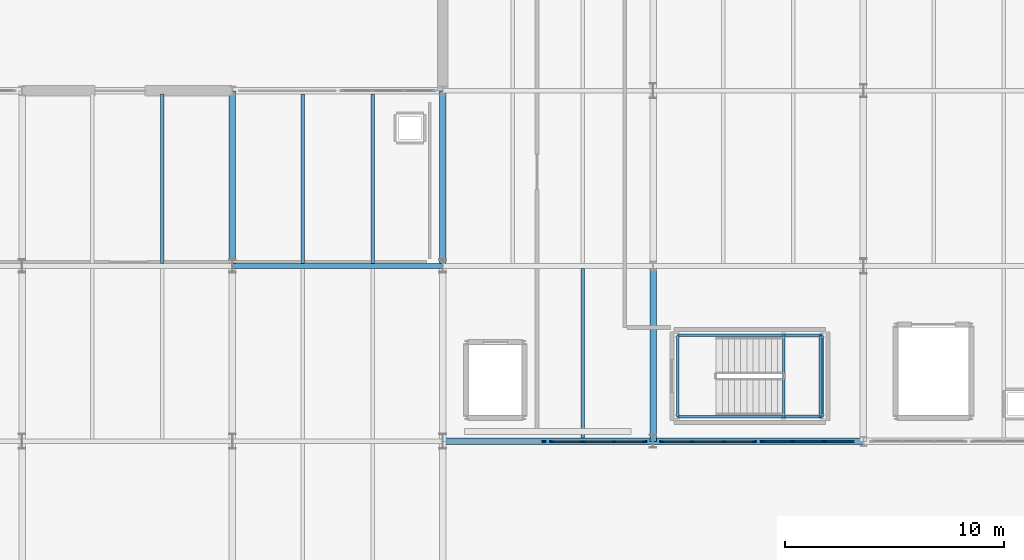
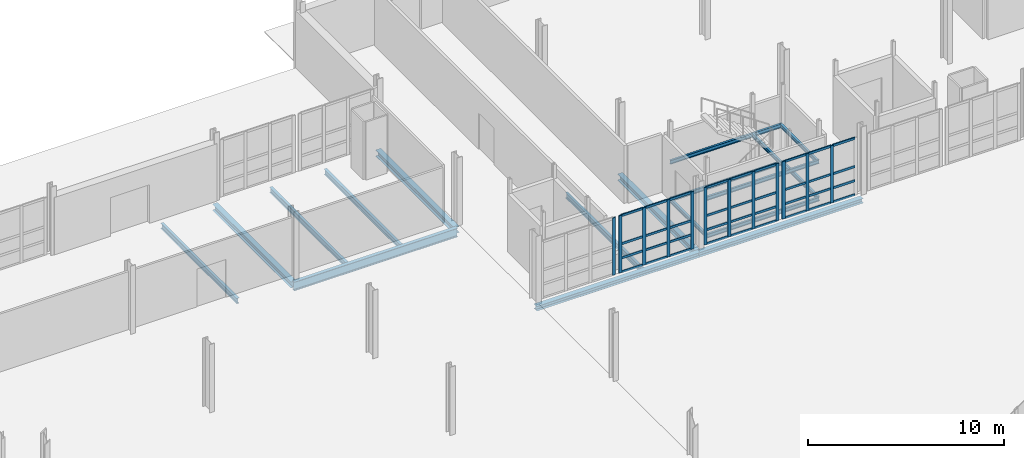
# One storey, part 40 of 78: 48 members, 18 beams, 4 elements without a shape of their own.
"""IFC4 building model written with IfcOpenShell, lengths in metres."""

from ifc_helpers import new_model, si_unit, direction, frame, origin, origin_2d, place, context, subcontext, project, spatial, rectangle, i_section, extrude, material, layer, layer_set, material_profile, profile_set, type_object, element, aggregate, save


model = new_model("IFC4")

# Units and contexts
model_context = context("Model", 3, precision=1e-05, world=origin(), true_north=direction((0.0, 1.0)))
body_context = subcontext(model_context, "Body", "Model", "MODEL_VIEW")
ifc_project = project(units=[si_unit("LENGTHUNIT", "METRE"), si_unit("AREAUNIT", "SQUARE_METRE"), si_unit("VOLUMEUNIT", "CUBIC_METRE"), si_unit("PLANEANGLEUNIT", "RADIAN"), si_unit("MASSUNIT", "GRAM", prefix="KILO")], contexts=[model_context])

# Site, building, storey
site_placement = place(None, origin())
site = spatial("IfcSite", under=ifc_project, at=site_placement, CompositionType="ELEMENT")
building_placement = place(site_placement, origin())
building = spatial("IfcBuilding", under=site, at=building_placement, Name="Alderhovde Museum", CompositionType="ELEMENT")
storey_placement = place(building_placement, origin())
storey = spatial("IfcBuildingStorey", under=building, at=storey_placement, Name="L00", CompositionType="ELEMENT", Elevation=0.0)

# Beams
ifc_material_1 = material(Name="Steel S355J2", Category="steel")
ifc_material_profile_1 = material_profile(ifc_material_1, i_section(OverallWidth=0.300048828125, OverallDepth=0.389892578125, WebThickness=0.010986328125, FlangeThickness=0.01904296875, FilletRadius=0.027099609375, at=origin_2d()), Name="HEA 400")
ifc_profile_set_1 = profile_set([ifc_material_profile_1], Name="Steel S355J2")
beam_type_1 = type_object("IfcBeamType", Name="BM-HEA400", PredefinedType="BEAM", material=ifc_profile_set_1)
for number, where, z_axis, x_axis, name in (
    (1, (105.60009765625, 80.0, -0.47509765625), (0.0, 1.0, 0.0), (-1.0, 0.0, 0.0), "L00 Grid Beam X=105.6 (80.0 TO 88.0)"),
    (2, (115.199951171875, 80.0, -0.47509765625), (0.0, 1.0, 0.0), (-1.0, 0.0, 0.0), "L00 Grid Beam X=115.2 (80.0 TO 88.0)"),
    (3, (124.800048828125, 72.0, -0.47509765625), (0.0, 1.0, 0.0), (-1.0, 0.0, 0.0), "L00 Grid Beam X=124.8 (72.0 TO 80.0)"),
):
    element("IfcBeam", number, at=place(storey_placement, frame(where, z_axis=z_axis, x_axis=x_axis)), inside=storey, type_object=beam_type_1, Name=name, PredefinedType="BEAM", context=body_context, shape_type="SweptSolid", body=[
        extrude(i_section(OverallWidth=0.300048828125, OverallDepth=0.389892578125, WebThickness=0.010986328125, FlangeThickness=0.01904296875, FilletRadius=0.027099609375, at=origin_2d()), origin(), (0.0, 0.0, 1.0), 8.0),
    ])
ifc_material_2 = material(Name="Steel S355J2", Category="steel")
ifc_material_profile_2 = material_profile(ifc_material_2, i_section(OverallWidth=0.1201171875, OverallDepth=0.239990234375, WebThickness=0.006103515625, FlangeThickness=0.009765625, FilletRadius=0.014892578125, at=origin_2d()), Name="IPE 240")
ifc_profile_set_2 = profile_set([ifc_material_profile_2], Name="Steel S355J2")
beam_type_2 = type_object("IfcBeamType", Name="BM-IPE240", PredefinedType="BEAM", material=ifc_profile_set_2)
for number, where, z_axis, x_axis, name in (
    (4, (125.919921875, 73.1201171875, -0.39990234375), (1.0, 0.0, 0.0), (0.0, 1.0, 0.0), "L00 Stair ST4 Floor Trimmer S"),
    (5, (125.919921875, 76.840087890625, -0.39990234375), (1.0, 0.0, 0.0), (0.0, 1.0, 0.0), "L00 Stair ST4 Floor Trimmer N"),
):
    element("IfcBeam", number, at=place(storey_placement, frame(where, z_axis=z_axis, x_axis=x_axis)), inside=storey, type_object=beam_type_2, Name=name, PredefinedType="BEAM", context=body_context, shape_type="SweptSolid", body=[
        extrude(i_section(OverallWidth=0.1201171875, OverallDepth=0.239990234375, WebThickness=0.006103515625, FlangeThickness=0.009765625, FilletRadius=0.014892578125, at=origin_2d()), origin(), (0.0, 0.0, 1.0), 6.60009765625),
    ])
for number, where, z_axis, x_axis, name in (
    (6, (125.919921875, 73.1201171875, -0.39990234375), (0.0, 1.0, 0.0), (-1.0, 0.0, 0.0), "L00 Stair ST4 Floor Trimmer W"),
    (7, (132.52001953125, 73.1201171875, -0.39990234375), (0.0, 1.0, 0.0), (-1.0, 0.0, 0.0), "L00 Stair ST4 Floor Trimmer E"),
):
    element("IfcBeam", number, at=place(storey_placement, frame(where, z_axis=z_axis, x_axis=x_axis)), inside=storey, type_object=beam_type_2, Name=name, PredefinedType="BEAM", context=body_context, shape_type="SweptSolid", body=[
        extrude(i_section(OverallWidth=0.1201171875, OverallDepth=0.239990234375, WebThickness=0.006103515625, FlangeThickness=0.009765625, FilletRadius=0.014892578125, at=origin_2d()), origin(), (0.0, 0.0, 1.0), 3.719970703125),
    ])
for number, where, z_axis, x_axis, name in (
    (8, (125.919921875, 73.1201171875, 1.929931640625), (1.0, 0.0, 0.0), (0.0, 1.0, 0.0), "L00 Stair ST4 Landing 1 Beam S"),
    (9, (125.919921875, 76.840087890625, 1.929931640625), (1.0, 0.0, 0.0), (0.0, 1.0, 0.0), "L00 Stair ST4 Landing 1 Beam N"),
):
    element("IfcBeam", number, at=place(storey_placement, frame(where, z_axis=z_axis, x_axis=x_axis)), inside=storey, type_object=beam_type_2, Name=name, PredefinedType="BEAM", context=body_context, shape_type="SweptSolid", body=[
        extrude(i_section(OverallWidth=0.1201171875, OverallDepth=0.239990234375, WebThickness=0.006103515625, FlangeThickness=0.009765625, FilletRadius=0.014892578125, at=origin_2d()), origin(), (0.0, 0.0, 1.0), 6.60009765625),
    ])
for number, where, z_axis, x_axis, name in (
    (10, (130.760009765625, 73.1201171875, 1.929931640625), (0.0, 1.0, 0.0), (-1.0, 0.0, 0.0), "L00 Stair ST4 Landing 1 Beam W"),
    (11, (132.43994140625, 73.1201171875, 1.929931640625), (0.0, 1.0, 0.0), (-1.0, 0.0, 0.0), "L00 Stair ST4 Landing 1 Beam E"),
):
    element("IfcBeam", number, at=place(storey_placement, frame(where, z_axis=z_axis, x_axis=x_axis)), inside=storey, type_object=beam_type_2, Name=name, PredefinedType="BEAM", context=body_context, shape_type="SweptSolid", body=[
        extrude(i_section(OverallWidth=0.1201171875, OverallDepth=0.239990234375, WebThickness=0.006103515625, FlangeThickness=0.009765625, FilletRadius=0.014892578125, at=origin_2d()), origin(), (0.0, 0.0, 1.0), 3.719970703125),
    ])
ifc_material_3 = material(Name="Steel S355J2", Category="steel")
ifc_material_profile_3 = material_profile(ifc_material_3, i_section(OverallWidth=0.2099609375, OverallDepth=0.550048828125, WebThickness=0.010986328125, FlangeThickness=0.01708984375, FilletRadius=0.02392578125, at=origin_2d()), Name="IPE 550")
ifc_profile_set_3 = profile_set([ifc_material_profile_3], Name="Steel S355J2")
beam_type_3 = type_object("IfcBeamType", Name="BM-IPE550", PredefinedType="BEAM", material=ifc_profile_set_3)
beam_1_placement = place(storey_placement, frame((105.60009765625, 80.0, -0.554931640625), z_axis=(1.0, 0.0, 0.0), x_axis=(0.0, 1.0, 0.0)))
element("IfcBeam", 12, at=beam_1_placement, inside=storey, type_object=beam_type_3, Name="L00 Grid Beam Y=80.0 (105.6 TO 115.2)", PredefinedType="BEAM", context=body_context, shape_type="SweptSolid", body=[
    extrude(i_section(OverallWidth=0.2099609375, OverallDepth=0.550048828125, WebThickness=0.010986328125, FlangeThickness=0.01708984375, FilletRadius=0.02392578125, at=origin_2d()), origin(), (0.0, 0.0, 1.0), 9.599853515625),
])

# Curtain wall, member
ifc_material_4 = material(Name="Triple-Glazed Bronze-Anodised Curtain Wall", Category="glass")
ifc_layer = layer(ifc_material_4, 0.179931640625)
ifc_layer_set = layer_set([ifc_layer], Name="Triple-Glazed Bronze-Anodised Curtain Wall")
curtain_wall_type = type_object("IfcCurtainWallType", Name="CW-STIC-430x356", PredefinedType="USERDEFINED", material=ifc_layer_set)
curtain_wall_1_placement = place(storey_placement, origin())
curtain_wall_1 = element("IfcCurtainWall", 13, at=curtain_wall_1_placement, inside=storey, type_object=curtain_wall_type, Name="L00 Stick Curtain Wall 131", ObjectType="STICK CURTAIN WALL", PredefinedType="USERDEFINED")
ifc_material_5 = material(Name="Bronze-Anodised Aluminium EN AW-6063-T6", Category="aluminium")
ifc_material_profile_4 = material_profile(ifc_material_5, rectangle(XDim=0.06494140625, YDim=0.179931640625, at=origin_2d()), Name="MULLION 65x180")
ifc_profile_set_4 = profile_set([ifc_material_profile_4], Name="Bronze-Anodised Aluminium EN AW-6063-T6")
member_type_1 = type_object("IfcMemberType", Name="CWM-65x180", PredefinedType="MULLION", material=ifc_profile_set_4)
member_1_placement = place(storey_placement, frame((119.8173828125, 72.0, 0.0), z_axis=(0.0, 0.0, 1.0), x_axis=(0.0, 1.0, 0.0)))
member_1 = element("IfcMember", 14, at=member_1_placement, type_object=member_type_1, Name="CW31 mullion 4", PredefinedType="MULLION", context=body_context, shape_type="SweptSolid", body=[
    extrude(rectangle(XDim=0.06494140625, YDim=0.179931640625, at=origin_2d()), origin(), (0.0, 0.0, 1.0), 3.56005859375),
])
aggregate(curtain_wall_1, [member_1])

# Curtain wall, members
curtain_wall_2_placement = place(storey_placement, origin())
curtain_wall_2 = element("IfcCurtainWall", 15, at=curtain_wall_2_placement, inside=storey, type_object=curtain_wall_type, Name="L00 Stick Curtain Wall 132", ObjectType="STICK CURTAIN WALL", PredefinedType="USERDEFINED")
member_2_placement = place(storey_placement, frame((120.1826171875, 72.0, 0.0), z_axis=(0.0, 0.0, 1.0), x_axis=(0.0, 1.0, 0.0)))
member_2 = element("IfcMember", 16, at=member_2_placement, type_object=member_type_1, Name="CW31 mullion 1", PredefinedType="MULLION", context=body_context, shape_type="SweptSolid", body=[
    extrude(rectangle(XDim=0.06494140625, YDim=0.179931640625, at=origin_2d()), origin(), (0.0, 0.0, 1.0), 3.56005859375),
])
member_3_placement = place(storey_placement, frame((121.583251953125, 72.0, 0.0), z_axis=(0.0, 0.0, 1.0), x_axis=(0.0, 1.0, 0.0)))
member_3 = element("IfcMember", 17, at=member_3_placement, type_object=member_type_1, Name="CW31 mullion 2", PredefinedType="MULLION", context=body_context, shape_type="SweptSolid", body=[
    extrude(rectangle(XDim=0.06494140625, YDim=0.179931640625, at=origin_2d()), origin(), (0.0, 0.0, 1.0), 3.56005859375),
])
member_4_placement = place(storey_placement, frame((123.0166015625, 72.0, 0.0), z_axis=(0.0, 0.0, 1.0), x_axis=(0.0, 1.0, 0.0)))
member_4 = element("IfcMember", 18, at=member_4_placement, type_object=member_type_1, Name="CW31 mullion 3", PredefinedType="MULLION", context=body_context, shape_type="SweptSolid", body=[
    extrude(rectangle(XDim=0.06494140625, YDim=0.179931640625, at=origin_2d()), origin(), (0.0, 0.0, 1.0), 3.56005859375),
])
member_5_placement = place(storey_placement, frame((124.41748046875, 72.0, 0.0), z_axis=(0.0, 0.0, 1.0), x_axis=(0.0, 1.0, 0.0)))
member_5 = element("IfcMember", 19, at=member_5_placement, type_object=member_type_1, Name="CW31 mullion 4", PredefinedType="MULLION", context=body_context, shape_type="SweptSolid", body=[
    extrude(rectangle(XDim=0.06494140625, YDim=0.179931640625, at=origin_2d()), origin(), (0.0, 0.0, 1.0), 3.56005859375),
])

curtain_wall_3_placement = place(storey_placement, origin())
curtain_wall_3 = element("IfcCurtainWall", 20, at=curtain_wall_3_placement, inside=storey, type_object=curtain_wall_type, Name="L00 Stick Curtain Wall 134", ObjectType="STICK CURTAIN WALL", PredefinedType="USERDEFINED")
member_6_placement = place(storey_placement, frame((125.1826171875, 72.0, 0.0), z_axis=(0.0, 0.0, 1.0), x_axis=(0.0, 1.0, 0.0)))
member_6 = element("IfcMember", 21, at=member_6_placement, type_object=member_type_1, Name="CW31 mullion 1", PredefinedType="MULLION", context=body_context, shape_type="SweptSolid", body=[
    extrude(rectangle(XDim=0.06494140625, YDim=0.179931640625, at=origin_2d()), origin(), (0.0, 0.0, 1.0), 3.56005859375),
])
member_7_placement = place(storey_placement, frame((126.583251953125, 72.0, 0.0), z_axis=(0.0, 0.0, 1.0), x_axis=(0.0, 1.0, 0.0)))
member_7 = element("IfcMember", 22, at=member_7_placement, type_object=member_type_1, Name="CW31 mullion 2", PredefinedType="MULLION", context=body_context, shape_type="SweptSolid", body=[
    extrude(rectangle(XDim=0.06494140625, YDim=0.179931640625, at=origin_2d()), origin(), (0.0, 0.0, 1.0), 3.56005859375),
])
member_8_placement = place(storey_placement, frame((128.0166015625, 72.0, 0.0), z_axis=(0.0, 0.0, 1.0), x_axis=(0.0, 1.0, 0.0)))
member_8 = element("IfcMember", 23, at=member_8_placement, type_object=member_type_1, Name="CW31 mullion 3", PredefinedType="MULLION", context=body_context, shape_type="SweptSolid", body=[
    extrude(rectangle(XDim=0.06494140625, YDim=0.179931640625, at=origin_2d()), origin(), (0.0, 0.0, 1.0), 3.56005859375),
])
member_9_placement = place(storey_placement, frame((129.41748046875, 72.0, 0.0), z_axis=(0.0, 0.0, 1.0), x_axis=(0.0, 1.0, 0.0)))
member_9 = element("IfcMember", 24, at=member_9_placement, type_object=member_type_1, Name="CW31 mullion 4", PredefinedType="MULLION", context=body_context, shape_type="SweptSolid", body=[
    extrude(rectangle(XDim=0.06494140625, YDim=0.179931640625, at=origin_2d()), origin(), (0.0, 0.0, 1.0), 3.56005859375),
])

curtain_wall_4_placement = place(storey_placement, origin())
curtain_wall_4 = element("IfcCurtainWall", 25, at=curtain_wall_4_placement, inside=storey, type_object=curtain_wall_type, Name="L00 Stick Curtain Wall 135", ObjectType="STICK CURTAIN WALL", PredefinedType="USERDEFINED")
member_10_placement = place(storey_placement, frame((129.782470703125, 72.0, 0.0), z_axis=(0.0, 0.0, 1.0), x_axis=(0.0, 1.0, 0.0)))
member_10 = element("IfcMember", 26, at=member_10_placement, type_object=member_type_1, Name="CW31 mullion 1", PredefinedType="MULLION", context=body_context, shape_type="SweptSolid", body=[
    extrude(rectangle(XDim=0.06494140625, YDim=0.179931640625, at=origin_2d()), origin(), (0.0, 0.0, 1.0), 3.56005859375),
])
member_11_placement = place(storey_placement, frame((131.183349609375, 72.0, 0.0), z_axis=(0.0, 0.0, 1.0), x_axis=(0.0, 1.0, 0.0)))
member_11 = element("IfcMember", 27, at=member_11_placement, type_object=member_type_1, Name="CW31 mullion 2", PredefinedType="MULLION", context=body_context, shape_type="SweptSolid", body=[
    extrude(rectangle(XDim=0.06494140625, YDim=0.179931640625, at=origin_2d()), origin(), (0.0, 0.0, 1.0), 3.56005859375),
])
member_12_placement = place(storey_placement, frame((132.61669921875, 72.0, 0.0), z_axis=(0.0, 0.0, 1.0), x_axis=(0.0, 1.0, 0.0)))
member_12 = element("IfcMember", 28, at=member_12_placement, type_object=member_type_1, Name="CW31 mullion 3", PredefinedType="MULLION", context=body_context, shape_type="SweptSolid", body=[
    extrude(rectangle(XDim=0.06494140625, YDim=0.179931640625, at=origin_2d()), origin(), (0.0, 0.0, 1.0), 3.56005859375),
])

# Member
ifc_material_6 = material(Name="Bronze-Anodised Aluminium EN AW-6063-T6", Category="aluminium")
ifc_material_profile_5 = material_profile(ifc_material_6, rectangle(XDim=0.06494140625, YDim=0.139892578125, at=origin_2d()), Name="TRANSOM 65x140")
ifc_profile_set_5 = profile_set([ifc_material_profile_5], Name="Bronze-Anodised Aluminium EN AW-6063-T6")
member_type_2 = type_object("IfcMemberType", Name="CWT-65x140", PredefinedType="USERDEFINED", material=ifc_profile_set_5)
member_13_placement = place(storey_placement, frame((120.215087890625, 72.0, 0.032470703125), z_axis=(1.0, 0.0, 0.0), x_axis=(0.0, 1.0, 0.0)))
member_13 = element("IfcMember", 29, at=member_13_placement, type_object=member_type_2, Name="CW31 transom 1.1", ObjectType="TRANSOM", PredefinedType="USERDEFINED", context=body_context, shape_type="SweptSolid", body=[
    extrude(rectangle(XDim=0.06494140625, YDim=0.139892578125, at=origin_2d()), origin(), (0.0, 0.0, 1.0), 1.335693359375),
])

member_14_placement = place(storey_placement, frame((120.215087890625, 72.0, 0.89990234375), z_axis=(1.0, 0.0, 0.0), x_axis=(0.0, 1.0, 0.0)))
member_14 = element("IfcMember", 30, at=member_14_placement, type_object=member_type_2, Name="CW31 transom 1.2", ObjectType="TRANSOM", PredefinedType="USERDEFINED", context=body_context, shape_type="SweptSolid", body=[
    extrude(rectangle(XDim=0.06494140625, YDim=0.139892578125, at=origin_2d()), origin(), (0.0, 0.0, 1.0), 1.335693359375),
])

member_15_placement = place(storey_placement, frame((120.215087890625, 72.0, 1.780029296875), z_axis=(1.0, 0.0, 0.0), x_axis=(0.0, 1.0, 0.0)))
member_15 = element("IfcMember", 31, at=member_15_placement, type_object=member_type_2, Name="CW31 transom 1.3", ObjectType="TRANSOM", PredefinedType="USERDEFINED", context=body_context, shape_type="SweptSolid", body=[
    extrude(rectangle(XDim=0.06494140625, YDim=0.139892578125, at=origin_2d()), origin(), (0.0, 0.0, 1.0), 1.335693359375),
])

member_16_placement = place(storey_placement, frame((120.215087890625, 72.0, 3.527587890625), z_axis=(1.0, 0.0, 0.0), x_axis=(0.0, 1.0, 0.0)))
member_16 = element("IfcMember", 32, at=member_16_placement, type_object=member_type_2, Name="CW31 transom 1.4", ObjectType="TRANSOM", PredefinedType="USERDEFINED", context=body_context, shape_type="SweptSolid", body=[
    extrude(rectangle(XDim=0.06494140625, YDim=0.139892578125, at=origin_2d()), origin(), (0.0, 0.0, 1.0), 1.335693359375),
])

member_17_placement = place(storey_placement, frame((121.61572265625, 72.0, 0.032470703125), z_axis=(1.0, 0.0, 0.0), x_axis=(0.0, 1.0, 0.0)))
member_17 = element("IfcMember", 33, at=member_17_placement, type_object=member_type_2, Name="CW31 transom 2.1", ObjectType="TRANSOM", PredefinedType="USERDEFINED", context=body_context, shape_type="SweptSolid", body=[
    extrude(rectangle(XDim=0.06494140625, YDim=0.139892578125, at=origin_2d()), origin(), (0.0, 0.0, 1.0), 1.368408203125),
])

member_18_placement = place(storey_placement, frame((121.61572265625, 72.0, 0.89990234375), z_axis=(1.0, 0.0, 0.0), x_axis=(0.0, 1.0, 0.0)))
member_18 = element("IfcMember", 34, at=member_18_placement, type_object=member_type_2, Name="CW31 transom 2.2", ObjectType="TRANSOM", PredefinedType="USERDEFINED", context=body_context, shape_type="SweptSolid", body=[
    extrude(rectangle(XDim=0.06494140625, YDim=0.139892578125, at=origin_2d()), origin(), (0.0, 0.0, 1.0), 1.368408203125),
])

member_19_placement = place(storey_placement, frame((121.61572265625, 72.0, 1.780029296875), z_axis=(1.0, 0.0, 0.0), x_axis=(0.0, 1.0, 0.0)))
member_19 = element("IfcMember", 35, at=member_19_placement, type_object=member_type_2, Name="CW31 transom 2.3", ObjectType="TRANSOM", PredefinedType="USERDEFINED", context=body_context, shape_type="SweptSolid", body=[
    extrude(rectangle(XDim=0.06494140625, YDim=0.139892578125, at=origin_2d()), origin(), (0.0, 0.0, 1.0), 1.368408203125),
])

member_20_placement = place(storey_placement, frame((121.61572265625, 72.0, 3.527587890625), z_axis=(1.0, 0.0, 0.0), x_axis=(0.0, 1.0, 0.0)))
member_20 = element("IfcMember", 36, at=member_20_placement, type_object=member_type_2, Name="CW31 transom 2.4", ObjectType="TRANSOM", PredefinedType="USERDEFINED", context=body_context, shape_type="SweptSolid", body=[
    extrude(rectangle(XDim=0.06494140625, YDim=0.139892578125, at=origin_2d()), origin(), (0.0, 0.0, 1.0), 1.368408203125),
])

member_21_placement = place(storey_placement, frame((123.049072265625, 72.0, 0.032470703125), z_axis=(1.0, 0.0, 0.0), x_axis=(0.0, 1.0, 0.0)))
member_21 = element("IfcMember", 37, at=member_21_placement, type_object=member_type_2, Name="CW31 transom 3.1", ObjectType="TRANSOM", PredefinedType="USERDEFINED", context=body_context, shape_type="SweptSolid", body=[
    extrude(rectangle(XDim=0.06494140625, YDim=0.139892578125, at=origin_2d()), origin(), (0.0, 0.0, 1.0), 1.3359375),
])

member_22_placement = place(storey_placement, frame((123.049072265625, 72.0, 0.89990234375), z_axis=(1.0, 0.0, 0.0), x_axis=(0.0, 1.0, 0.0)))
member_22 = element("IfcMember", 38, at=member_22_placement, type_object=member_type_2, Name="CW31 transom 3.2", ObjectType="TRANSOM", PredefinedType="USERDEFINED", context=body_context, shape_type="SweptSolid", body=[
    extrude(rectangle(XDim=0.06494140625, YDim=0.139892578125, at=origin_2d()), origin(), (0.0, 0.0, 1.0), 1.3359375),
])

member_23_placement = place(storey_placement, frame((123.049072265625, 72.0, 1.780029296875), z_axis=(1.0, 0.0, 0.0), x_axis=(0.0, 1.0, 0.0)))
member_23 = element("IfcMember", 39, at=member_23_placement, type_object=member_type_2, Name="CW31 transom 3.3", ObjectType="TRANSOM", PredefinedType="USERDEFINED", context=body_context, shape_type="SweptSolid", body=[
    extrude(rectangle(XDim=0.06494140625, YDim=0.139892578125, at=origin_2d()), origin(), (0.0, 0.0, 1.0), 1.3359375),
])

member_24_placement = place(storey_placement, frame((123.049072265625, 72.0, 3.527587890625), z_axis=(1.0, 0.0, 0.0), x_axis=(0.0, 1.0, 0.0)))
member_24 = element("IfcMember", 40, at=member_24_placement, type_object=member_type_2, Name="CW31 transom 3.4", ObjectType="TRANSOM", PredefinedType="USERDEFINED", context=body_context, shape_type="SweptSolid", body=[
    extrude(rectangle(XDim=0.06494140625, YDim=0.139892578125, at=origin_2d()), origin(), (0.0, 0.0, 1.0), 1.3359375),
])

aggregate(curtain_wall_2, [member_2, member_3, member_4, member_5, member_13, member_14, member_15, member_16, member_17, member_18, member_19, member_20, member_21, member_22, member_23, member_24])

member_25_placement = place(storey_placement, frame((125.215087890625, 72.0, 0.032470703125), z_axis=(1.0, 0.0, 0.0), x_axis=(0.0, 1.0, 0.0)))
member_25 = element("IfcMember", 41, at=member_25_placement, type_object=member_type_2, Name="CW31 transom 1.1", ObjectType="TRANSOM", PredefinedType="USERDEFINED", context=body_context, shape_type="SweptSolid", body=[
    extrude(rectangle(XDim=0.06494140625, YDim=0.139892578125, at=origin_2d()), origin(), (0.0, 0.0, 1.0), 1.335693359375),
])

member_26_placement = place(storey_placement, frame((125.215087890625, 72.0, 0.89990234375), z_axis=(1.0, 0.0, 0.0), x_axis=(0.0, 1.0, 0.0)))
member_26 = element("IfcMember", 42, at=member_26_placement, type_object=member_type_2, Name="CW31 transom 1.2", ObjectType="TRANSOM", PredefinedType="USERDEFINED", context=body_context, shape_type="SweptSolid", body=[
    extrude(rectangle(XDim=0.06494140625, YDim=0.139892578125, at=origin_2d()), origin(), (0.0, 0.0, 1.0), 1.335693359375),
])

member_27_placement = place(storey_placement, frame((125.215087890625, 72.0, 1.780029296875), z_axis=(1.0, 0.0, 0.0), x_axis=(0.0, 1.0, 0.0)))
member_27 = element("IfcMember", 43, at=member_27_placement, type_object=member_type_2, Name="CW31 transom 1.3", ObjectType="TRANSOM", PredefinedType="USERDEFINED", context=body_context, shape_type="SweptSolid", body=[
    extrude(rectangle(XDim=0.06494140625, YDim=0.139892578125, at=origin_2d()), origin(), (0.0, 0.0, 1.0), 1.335693359375),
])

member_28_placement = place(storey_placement, frame((125.215087890625, 72.0, 3.527587890625), z_axis=(1.0, 0.0, 0.0), x_axis=(0.0, 1.0, 0.0)))
member_28 = element("IfcMember", 44, at=member_28_placement, type_object=member_type_2, Name="CW31 transom 1.4", ObjectType="TRANSOM", PredefinedType="USERDEFINED", context=body_context, shape_type="SweptSolid", body=[
    extrude(rectangle(XDim=0.06494140625, YDim=0.139892578125, at=origin_2d()), origin(), (0.0, 0.0, 1.0), 1.335693359375),
])

member_29_placement = place(storey_placement, frame((126.61572265625, 72.0, 0.032470703125), z_axis=(1.0, 0.0, 0.0), x_axis=(0.0, 1.0, 0.0)))
member_29 = element("IfcMember", 45, at=member_29_placement, type_object=member_type_2, Name="CW31 transom 2.1", ObjectType="TRANSOM", PredefinedType="USERDEFINED", context=body_context, shape_type="SweptSolid", body=[
    extrude(rectangle(XDim=0.06494140625, YDim=0.139892578125, at=origin_2d()), origin(), (0.0, 0.0, 1.0), 1.368408203125),
])

member_30_placement = place(storey_placement, frame((126.61572265625, 72.0, 0.89990234375), z_axis=(1.0, 0.0, 0.0), x_axis=(0.0, 1.0, 0.0)))
member_30 = element("IfcMember", 46, at=member_30_placement, type_object=member_type_2, Name="CW31 transom 2.2", ObjectType="TRANSOM", PredefinedType="USERDEFINED", context=body_context, shape_type="SweptSolid", body=[
    extrude(rectangle(XDim=0.06494140625, YDim=0.139892578125, at=origin_2d()), origin(), (0.0, 0.0, 1.0), 1.368408203125),
])

member_31_placement = place(storey_placement, frame((126.61572265625, 72.0, 1.780029296875), z_axis=(1.0, 0.0, 0.0), x_axis=(0.0, 1.0, 0.0)))
member_31 = element("IfcMember", 47, at=member_31_placement, type_object=member_type_2, Name="CW31 transom 2.3", ObjectType="TRANSOM", PredefinedType="USERDEFINED", context=body_context, shape_type="SweptSolid", body=[
    extrude(rectangle(XDim=0.06494140625, YDim=0.139892578125, at=origin_2d()), origin(), (0.0, 0.0, 1.0), 1.368408203125),
])

member_32_placement = place(storey_placement, frame((126.61572265625, 72.0, 3.527587890625), z_axis=(1.0, 0.0, 0.0), x_axis=(0.0, 1.0, 0.0)))
member_32 = element("IfcMember", 48, at=member_32_placement, type_object=member_type_2, Name="CW31 transom 2.4", ObjectType="TRANSOM", PredefinedType="USERDEFINED", context=body_context, shape_type="SweptSolid", body=[
    extrude(rectangle(XDim=0.06494140625, YDim=0.139892578125, at=origin_2d()), origin(), (0.0, 0.0, 1.0), 1.368408203125),
])

member_33_placement = place(storey_placement, frame((128.049072265625, 72.0, 0.032470703125), z_axis=(1.0, 0.0, 0.0), x_axis=(0.0, 1.0, 0.0)))
member_33 = element("IfcMember", 49, at=member_33_placement, type_object=member_type_2, Name="CW31 transom 3.1", ObjectType="TRANSOM", PredefinedType="USERDEFINED", context=body_context, shape_type="SweptSolid", body=[
    extrude(rectangle(XDim=0.06494140625, YDim=0.139892578125, at=origin_2d()), origin(), (0.0, 0.0, 1.0), 1.3359375),
])

member_34_placement = place(storey_placement, frame((128.049072265625, 72.0, 0.89990234375), z_axis=(1.0, 0.0, 0.0), x_axis=(0.0, 1.0, 0.0)))
member_34 = element("IfcMember", 50, at=member_34_placement, type_object=member_type_2, Name="CW31 transom 3.2", ObjectType="TRANSOM", PredefinedType="USERDEFINED", context=body_context, shape_type="SweptSolid", body=[
    extrude(rectangle(XDim=0.06494140625, YDim=0.139892578125, at=origin_2d()), origin(), (0.0, 0.0, 1.0), 1.3359375),
])

member_35_placement = place(storey_placement, frame((128.049072265625, 72.0, 1.780029296875), z_axis=(1.0, 0.0, 0.0), x_axis=(0.0, 1.0, 0.0)))
member_35 = element("IfcMember", 51, at=member_35_placement, type_object=member_type_2, Name="CW31 transom 3.3", ObjectType="TRANSOM", PredefinedType="USERDEFINED", context=body_context, shape_type="SweptSolid", body=[
    extrude(rectangle(XDim=0.06494140625, YDim=0.139892578125, at=origin_2d()), origin(), (0.0, 0.0, 1.0), 1.3359375),
])

member_36_placement = place(storey_placement, frame((128.049072265625, 72.0, 3.527587890625), z_axis=(1.0, 0.0, 0.0), x_axis=(0.0, 1.0, 0.0)))
member_36 = element("IfcMember", 52, at=member_36_placement, type_object=member_type_2, Name="CW31 transom 3.4", ObjectType="TRANSOM", PredefinedType="USERDEFINED", context=body_context, shape_type="SweptSolid", body=[
    extrude(rectangle(XDim=0.06494140625, YDim=0.139892578125, at=origin_2d()), origin(), (0.0, 0.0, 1.0), 1.3359375),
])

aggregate(curtain_wall_3, [member_6, member_7, member_8, member_9, member_25, member_26, member_27, member_28, member_29, member_30, member_31, member_32, member_33, member_34, member_35, member_36])

member_37_placement = place(storey_placement, frame((129.81494140625, 72.0, 0.032470703125), z_axis=(1.0, 0.0, 0.0), x_axis=(0.0, 1.0, 0.0)))
member_37 = element("IfcMember", 53, at=member_37_placement, type_object=member_type_2, Name="CW31 transom 1.1", ObjectType="TRANSOM", PredefinedType="USERDEFINED", context=body_context, shape_type="SweptSolid", body=[
    extrude(rectangle(XDim=0.06494140625, YDim=0.139892578125, at=origin_2d()), origin(), (0.0, 0.0, 1.0), 1.3359375),
])

member_38_placement = place(storey_placement, frame((129.81494140625, 72.0, 0.89990234375), z_axis=(1.0, 0.0, 0.0), x_axis=(0.0, 1.0, 0.0)))
member_38 = element("IfcMember", 54, at=member_38_placement, type_object=member_type_2, Name="CW31 transom 1.2", ObjectType="TRANSOM", PredefinedType="USERDEFINED", context=body_context, shape_type="SweptSolid", body=[
    extrude(rectangle(XDim=0.06494140625, YDim=0.139892578125, at=origin_2d()), origin(), (0.0, 0.0, 1.0), 1.3359375),
])

member_39_placement = place(storey_placement, frame((129.81494140625, 72.0, 1.780029296875), z_axis=(1.0, 0.0, 0.0), x_axis=(0.0, 1.0, 0.0)))
member_39 = element("IfcMember", 55, at=member_39_placement, type_object=member_type_2, Name="CW31 transom 1.3", ObjectType="TRANSOM", PredefinedType="USERDEFINED", context=body_context, shape_type="SweptSolid", body=[
    extrude(rectangle(XDim=0.06494140625, YDim=0.139892578125, at=origin_2d()), origin(), (0.0, 0.0, 1.0), 1.3359375),
])

member_40_placement = place(storey_placement, frame((129.81494140625, 72.0, 3.527587890625), z_axis=(1.0, 0.0, 0.0), x_axis=(0.0, 1.0, 0.0)))
member_40 = element("IfcMember", 56, at=member_40_placement, type_object=member_type_2, Name="CW31 transom 1.4", ObjectType="TRANSOM", PredefinedType="USERDEFINED", context=body_context, shape_type="SweptSolid", body=[
    extrude(rectangle(XDim=0.06494140625, YDim=0.139892578125, at=origin_2d()), origin(), (0.0, 0.0, 1.0), 1.3359375),
])

member_41_placement = place(storey_placement, frame((131.2158203125, 72.0, 0.032470703125), z_axis=(1.0, 0.0, 0.0), x_axis=(0.0, 1.0, 0.0)))
member_41 = element("IfcMember", 57, at=member_41_placement, type_object=member_type_2, Name="CW31 transom 2.1", ObjectType="TRANSOM", PredefinedType="USERDEFINED", context=body_context, shape_type="SweptSolid", body=[
    extrude(rectangle(XDim=0.06494140625, YDim=0.139892578125, at=origin_2d()), origin(), (0.0, 0.0, 1.0), 1.368408203125),
])

member_42_placement = place(storey_placement, frame((131.2158203125, 72.0, 0.89990234375), z_axis=(1.0, 0.0, 0.0), x_axis=(0.0, 1.0, 0.0)))
member_42 = element("IfcMember", 58, at=member_42_placement, type_object=member_type_2, Name="CW31 transom 2.2", ObjectType="TRANSOM", PredefinedType="USERDEFINED", context=body_context, shape_type="SweptSolid", body=[
    extrude(rectangle(XDim=0.06494140625, YDim=0.139892578125, at=origin_2d()), origin(), (0.0, 0.0, 1.0), 1.368408203125),
])

member_43_placement = place(storey_placement, frame((131.2158203125, 72.0, 1.780029296875), z_axis=(1.0, 0.0, 0.0), x_axis=(0.0, 1.0, 0.0)))
member_43 = element("IfcMember", 59, at=member_43_placement, type_object=member_type_2, Name="CW31 transom 2.3", ObjectType="TRANSOM", PredefinedType="USERDEFINED", context=body_context, shape_type="SweptSolid", body=[
    extrude(rectangle(XDim=0.06494140625, YDim=0.139892578125, at=origin_2d()), origin(), (0.0, 0.0, 1.0), 1.368408203125),
])

member_44_placement = place(storey_placement, frame((131.2158203125, 72.0, 3.527587890625), z_axis=(1.0, 0.0, 0.0), x_axis=(0.0, 1.0, 0.0)))
member_44 = element("IfcMember", 60, at=member_44_placement, type_object=member_type_2, Name="CW31 transom 2.4", ObjectType="TRANSOM", PredefinedType="USERDEFINED", context=body_context, shape_type="SweptSolid", body=[
    extrude(rectangle(XDim=0.06494140625, YDim=0.139892578125, at=origin_2d()), origin(), (0.0, 0.0, 1.0), 1.368408203125),
])

member_45_placement = place(storey_placement, frame((132.649169921875, 72.0, 0.032470703125), z_axis=(1.0, 0.0, 0.0), x_axis=(0.0, 1.0, 0.0)))
member_45 = element("IfcMember", 61, at=member_45_placement, type_object=member_type_2, Name="CW31 transom 3.1", ObjectType="TRANSOM", PredefinedType="USERDEFINED", context=body_context, shape_type="SweptSolid", body=[
    extrude(rectangle(XDim=0.06494140625, YDim=0.139892578125, at=origin_2d()), origin(), (0.0, 0.0, 1.0), 1.3359375),
])

member_46_placement = place(storey_placement, frame((132.649169921875, 72.0, 0.89990234375), z_axis=(1.0, 0.0, 0.0), x_axis=(0.0, 1.0, 0.0)))
member_46 = element("IfcMember", 62, at=member_46_placement, type_object=member_type_2, Name="CW31 transom 3.2", ObjectType="TRANSOM", PredefinedType="USERDEFINED", context=body_context, shape_type="SweptSolid", body=[
    extrude(rectangle(XDim=0.06494140625, YDim=0.139892578125, at=origin_2d()), origin(), (0.0, 0.0, 1.0), 1.3359375),
])

member_47_placement = place(storey_placement, frame((132.649169921875, 72.0, 1.780029296875), z_axis=(1.0, 0.0, 0.0), x_axis=(0.0, 1.0, 0.0)))
member_47 = element("IfcMember", 63, at=member_47_placement, type_object=member_type_2, Name="CW31 transom 3.3", ObjectType="TRANSOM", PredefinedType="USERDEFINED", context=body_context, shape_type="SweptSolid", body=[
    extrude(rectangle(XDim=0.06494140625, YDim=0.139892578125, at=origin_2d()), origin(), (0.0, 0.0, 1.0), 1.3359375),
])

member_48_placement = place(storey_placement, frame((132.649169921875, 72.0, 3.527587890625), z_axis=(1.0, 0.0, 0.0), x_axis=(0.0, 1.0, 0.0)))
member_48 = element("IfcMember", 64, at=member_48_placement, type_object=member_type_2, Name="CW31 transom 3.4", ObjectType="TRANSOM", PredefinedType="USERDEFINED", context=body_context, shape_type="SweptSolid", body=[
    extrude(rectangle(XDim=0.06494140625, YDim=0.139892578125, at=origin_2d()), origin(), (0.0, 0.0, 1.0), 1.3359375),
])

aggregate(curtain_wall_4, [member_10, member_11, member_12, member_37, member_38, member_39, member_40, member_41, member_42, member_43, member_44, member_45, member_46, member_47, member_48])

# Beams
ifc_material_7 = material(Name="Steel S355J2", Category="steel")
ifc_material_profile_6 = material_profile(ifc_material_7, i_section(OverallWidth=0.159912109375, OverallDepth=0.330078125, WebThickness=0.007568359375, FlangeThickness=0.011474609375, FilletRadius=0.01806640625, at=origin_2d()), Name="IPE 330")
ifc_profile_set_6 = profile_set([ifc_material_profile_6], Name="Steel S355J2")
beam_type_4 = type_object("IfcBeamType", Name="JST-IPE330", PredefinedType="JOIST", material=ifc_profile_set_6)
for number, where, z_axis, x_axis, name in (
    (65, (102.39990234375, 80.10498046875, -0.445068359375), (0.0, 1.0, 0.0), (-1.0, 0.0, 0.0), "L00 Composite Joist X=102.4 (80.0 TO 88.0)"),
    (66, (108.800048828125, 80.10498046875, -0.445068359375), (0.0, 1.0, 0.0), (-1.0, 0.0, 0.0), "L00 Composite Joist X=108.8 (80.0 TO 88.0)"),
    (67, (112.0, 80.10498046875, -0.445068359375), (0.0, 1.0, 0.0), (-1.0, 0.0, 0.0), "L00 Composite Joist X=112.0 (80.0 TO 88.0)"),
    (68, (121.60009765625, 72.14990234375, -0.445068359375), (0.0, 1.0, 0.0), (-1.0, 0.0, 0.0), "L00 Composite Joist X=121.6 (72.0 TO 80.0)"),
):
    element("IfcBeam", number, at=place(storey_placement, frame(where, z_axis=z_axis, x_axis=x_axis)), inside=storey, type_object=beam_type_4, Name=name, PredefinedType="JOIST", context=body_context, shape_type="SweptSolid", body=[
        extrude(i_section(OverallWidth=0.159912109375, OverallDepth=0.330078125, WebThickness=0.007568359375, FlangeThickness=0.011474609375, FilletRadius=0.01806640625, at=origin_2d()), origin(), (0.0, 0.0, 1.0), 7.7451171875),
    ])
ifc_material_8 = material(Name="Steel S355J2", Category="steel")
ifc_material_profile_7 = material_profile(ifc_material_8, i_section(OverallWidth=0.300048828125, OverallDepth=0.2900390625, WebThickness=0.008544921875, FlangeThickness=0.013916015625, FilletRadius=0.027099609375, at=origin_2d()), Name="HEA 300")
ifc_profile_set_7 = profile_set([ifc_material_profile_7], Name="Steel S355J2")
beam_type_5 = type_object("IfcBeamType", Name="SPD-HEA300", PredefinedType="SPANDREL", material=ifc_profile_set_7)
beam_2_placement = place(storey_placement, frame((115.199951171875, 72.0, -0.425048828125), z_axis=(1.0, 0.0, 0.0), x_axis=(0.0, 1.0, 0.0)))
element("IfcBeam", 69, at=beam_2_placement, inside=storey, type_object=beam_type_5, Name="L00 Grid Beam Y=72.0 (115.2 TO 124.8)", PredefinedType="SPANDREL", context=body_context, shape_type="SweptSolid", body=[
    extrude(i_section(OverallWidth=0.300048828125, OverallDepth=0.2900390625, WebThickness=0.008544921875, FlangeThickness=0.013916015625, FilletRadius=0.027099609375, at=origin_2d()), origin(), (0.0, 0.0, 1.0), 9.60009765625),
])
beam_3_placement = place(storey_placement, frame((124.800048828125, 72.0, -0.425048828125), z_axis=(1.0, 0.0, 0.0), x_axis=(0.0, 1.0, 0.0)))
element("IfcBeam", 70, at=beam_3_placement, inside=storey, type_object=beam_type_5, Name="L00 Grid Beam Y=72.0 (124.8 TO 134.4)", PredefinedType="SPANDREL", context=body_context, shape_type="SweptSolid", body=[
    extrude(i_section(OverallWidth=0.300048828125, OverallDepth=0.2900390625, WebThickness=0.008544921875, FlangeThickness=0.013916015625, FilletRadius=0.027099609375, at=origin_2d()), origin(), (0.0, 0.0, 1.0), 9.599853515625),
])

save(model, "model.ifc")
